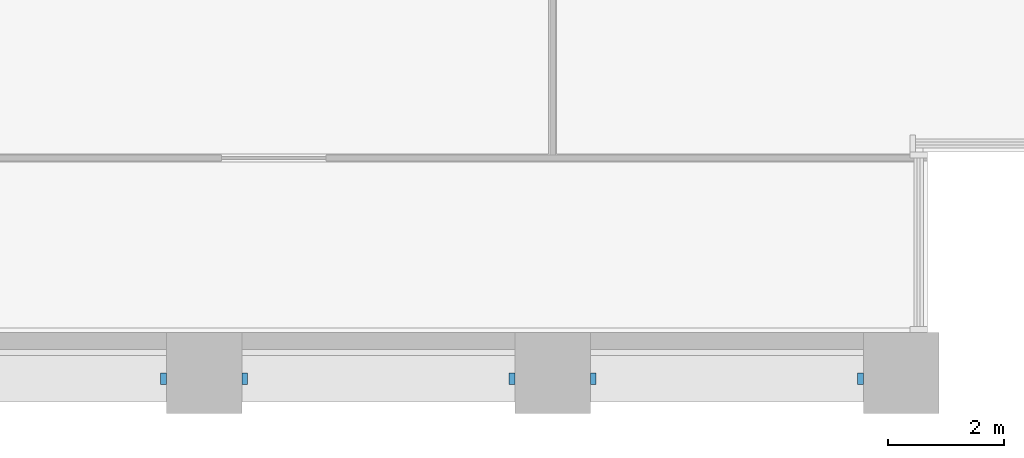
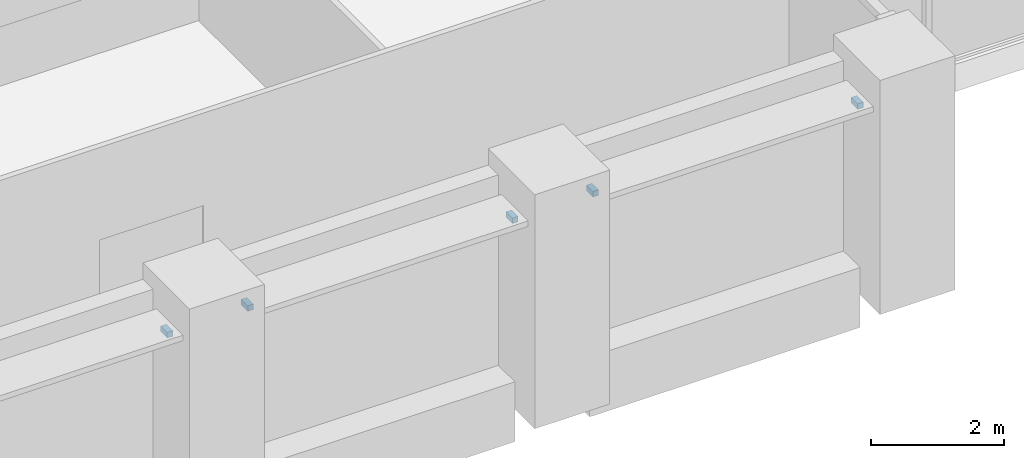
# One storey, part 15 of 17: 5 discrete accessories.
"""IFC4 building model written with IfcOpenShell, lengths in metres."""

from ifc_helpers import new_model, si_unit, direction, frame, origin, origin_2d, place, context, subcontext, project, spatial, rectangle, extrude, element, save


model = new_model("IFC4")

# Units and contexts
model_context = context("Model", 3, precision=1e-05, world=origin(), true_north=direction((0.0, 1.0)))
body_context = subcontext(model_context, "Body", "Model", "MODEL_VIEW")
ifc_project = project(units=[si_unit("LENGTHUNIT", "METRE"), si_unit("AREAUNIT", "SQUARE_METRE"), si_unit("VOLUMEUNIT", "CUBIC_METRE"), si_unit("PLANEANGLEUNIT", "RADIAN"), si_unit("MASSUNIT", "GRAM", prefix="KILO")], contexts=[model_context])

# Site, building, storey
site_placement = place(None, origin())
site = spatial("IfcSite", under=ifc_project, at=site_placement, CompositionType="ELEMENT")
building_placement = place(site_placement, origin())
building = spatial("IfcBuilding", under=site, at=building_placement, Name="Calvaro Tower", CompositionType="ELEMENT")
storey_placement = place(building_placement, frame((0.0, 0.0, 17.89990234375)))
storey = spatial("IfcBuildingStorey", under=building, at=storey_placement, Name="L03", CompositionType="ELEMENT", Elevation=17.89990234375)

# Discrete accessories
for number, where, z_axis, x_axis, name in (
    (1, (59.300048828125, 0.60009765625, 3.0), (0.0, 0.0, 1.0), (1.0, 0.0, 0.0), "Brise-soleil bracket"),
    (2, (60.699951171875, 0.60009765625, 3.0), (0.0, 0.0, 1.0), (1.0, 0.0, 0.0), "Brise-soleil bracket"),
    (3, (65.300048828125, 0.60009765625, 3.0), (0.0, 0.0, 1.0), (1.0, 0.0, 0.0), "Brise-soleil bracket"),
    (4, (66.699951171875, 0.60009765625, 3.0), (0.0, 0.0, 1.0), (1.0, 0.0, 0.0), "Brise-soleil bracket"),
    (5, (71.300048828125, 0.60009765625, 3.0), (0.0, 0.0, 1.0), (1.0, 0.0, 0.0), "Brise-soleil bracket"),
):
    element("IfcDiscreteAccessory", number, at=place(storey_placement, frame(where, z_axis=z_axis, x_axis=x_axis)), inside=storey, Name=name, PredefinedType="BRACKET", context=body_context, shape_type="SweptSolid", body=[
        extrude(rectangle(XDim=0.10009765625, YDim=0.199951171875, at=origin_2d()), origin(), (0.0, 0.0, 1.0), 0.10009765625),
    ])

save(model, "model.ifc")
